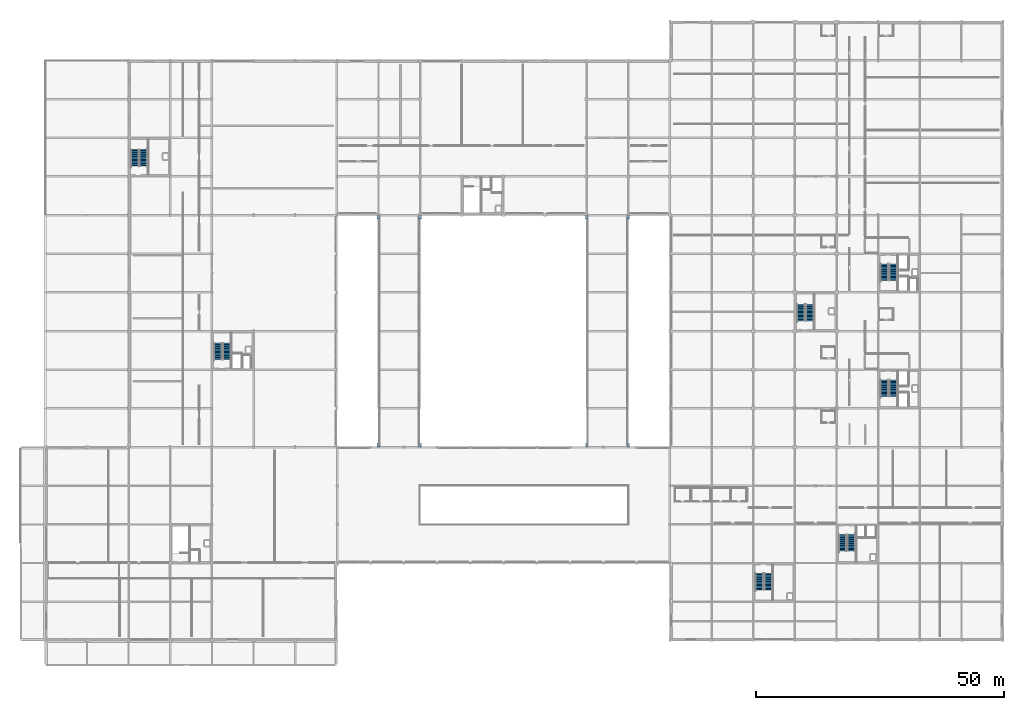
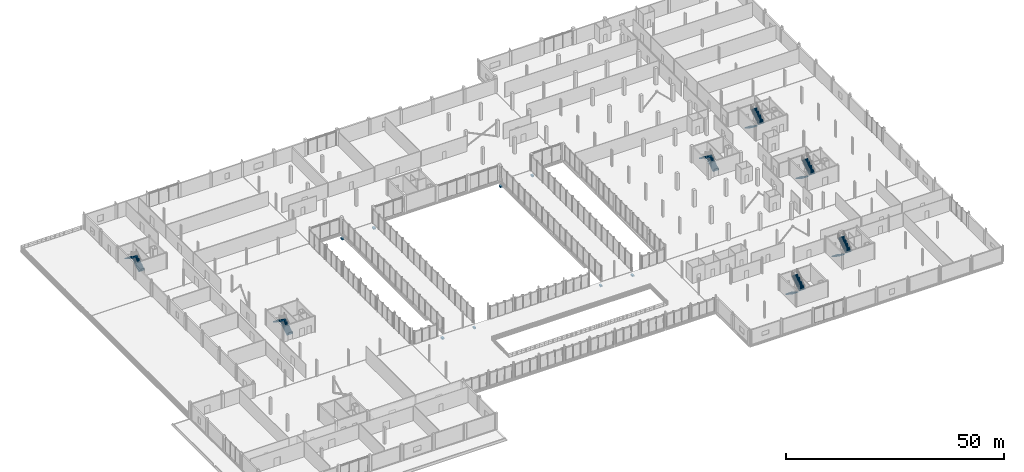
# One storey, part 79 of 98: 14 stair flights, 8 discrete accessories, 7 elements without a shape of their own.
"""IFC4 building model written with IfcOpenShell, lengths in metres."""

from ifc_helpers import new_model, si_unit, direction, frame, origin, origin_2d, place, context, subcontext, project, spatial, polyline, rectangle, outline, extrude, material, layer, layer_set, type_object, element, aggregate, save


model = new_model("IFC4")

# Units and contexts
model_context = context("Model", 3, precision=1e-05, world=origin(), true_north=direction((0.0, 1.0)))
body_context = subcontext(model_context, "Body", "Model", "MODEL_VIEW")
ifc_project = project(units=[si_unit("LENGTHUNIT", "METRE"), si_unit("AREAUNIT", "SQUARE_METRE"), si_unit("VOLUMEUNIT", "CUBIC_METRE"), si_unit("PLANEANGLEUNIT", "RADIAN"), si_unit("MASSUNIT", "GRAM", prefix="KILO")], contexts=[model_context])

# Site, building, storey
site_placement = place(None, origin())
site = spatial("IfcSite", under=ifc_project, at=site_placement, CompositionType="ELEMENT")
building_placement = place(site_placement, origin())
building = spatial("IfcBuilding", under=site, at=building_placement, Name="Nabrawat Pavilion Hospital", CompositionType="ELEMENT")
storey_placement = place(building_placement, frame((0.0, 0.0, 10.199951171875)))
storey = spatial("IfcBuildingStorey", under=building, at=storey_placement, Name="L02", CompositionType="ELEMENT", Elevation=10.199951171875)

# Stair, stair flights
ifc_material_1 = material(Name="Concrete C35/45", Category="concrete")
stair_type_1 = type_object("IfcStairType", Name="Core Dogleg Escape Stair Assembly", PredefinedType="HALF_TURN_STAIR", material=ifc_material_1)
stair_1_placement = place(storey_placement, origin())
stair_1 = element("IfcStair", 1, at=stair_1_placement, inside=storey, type_object=stair_type_1, Name="L02 Surgical Stair and Bed-Lift Core 2", PredefinedType="HALF_TURN_STAIR")
stair_flight_type = type_object("IfcStairFlightType", Name="Reinforced Concrete Escape Stair Flight 1600", PredefinedType="STRAIGHT", material=ifc_material_1)
stair_flight_1_placement = place(storey_placement, frame((36.64990234375, 56.669921875, 0.0), z_axis=(0.0, 0.0, 1.0), x_axis=(0.0, 1.0, 0.0)))
stair_flight_1 = element("IfcStairFlight", 2, at=stair_flight_1_placement, type_object=stair_flight_type, Name="ST-02 flight 1", NumberOfRisers=13, NumberOfTreads=12, PredefinedType="STRAIGHT", RiserHeight=0.178846154, TreadLength=0.275, context=body_context, shape_type="SweptSolid", body=[
    extrude(outline(polyline([(-0.008056640625, 0.0), (0.0, 0.0), (0.0, 0.178955078125), (0.27490234375, 0.178955078125), (0.27490234375, 0.357666015625), (0.550048828125, 0.357666015625), (0.550048828125, 0.53662109375), (0.824951171875, 0.53662109375), (0.824951171875, 0.71533203125), (1.10009765625, 0.71533203125), (1.10009765625, 0.894287109375), (1.375, 0.894287109375), (1.375, 1.072998046875), (1.64990234375, 1.072998046875), (1.64990234375, 1.251953125), (1.925048828125, 1.251953125), (1.925048828125, 1.4306640625), (2.199951171875, 1.4306640625), (2.199951171875, 1.609619140625), (2.47509765625, 1.609619140625), (2.47509765625, 1.78857421875), (2.75, 1.78857421875), (2.75, 1.96728515625), (3.02490234375, 1.96728515625), (3.02490234375, 2.146240234375), (3.300048828125, 2.146240234375), (3.300048828125, 2.324951171875), (3.30810546875, 2.324951171875), (3.30810546875, 2.175048828125), (3.300048828125, 1.96728515625), (0.27490234375, 0.0), (-0.008056640625, -0.1201171875), (-0.008056640625, 0.0)])), frame((0.0, 0.800048828125, 0.0), z_axis=(0.0, -1.0, 0.0), x_axis=(1.0, 0.0, 0.0)), (0.0, 0.0, 1.0), 1.60009765625),
])
stair_flight_2_placement = place(storey_placement, frame((34.85009765625, 59.969970703125, 2.324951171875), z_axis=(0.0, 0.0, 1.0), x_axis=(0.0, -1.0, 0.0)))
stair_flight_2 = element("IfcStairFlight", 3, at=stair_flight_2_placement, type_object=stair_flight_type, Name="ST-02 flight 2", NumberOfRisers=13, NumberOfTreads=12, PredefinedType="STRAIGHT", RiserHeight=0.178846154, TreadLength=0.275, context=body_context, shape_type="SweptSolid", body=[
    extrude(outline(polyline([(-0.008056640625, 0.0), (0.0, 0.0), (0.0, 0.178955078125), (0.27490234375, 0.178955078125), (0.27490234375, 0.357666015625), (0.550048828125, 0.357666015625), (0.550048828125, 0.53662109375), (0.824951171875, 0.53662109375), (0.824951171875, 0.71533203125), (1.10009765625, 0.71533203125), (1.10009765625, 0.894287109375), (1.375, 0.894287109375), (1.375, 1.072998046875), (1.64990234375, 1.072998046875), (1.64990234375, 1.251953125), (1.925048828125, 1.251953125), (1.925048828125, 1.4306640625), (2.199951171875, 1.4306640625), (2.199951171875, 1.609619140625), (2.47509765625, 1.609619140625), (2.47509765625, 1.78857421875), (2.75, 1.78857421875), (2.75, 1.96728515625), (3.02490234375, 1.96728515625), (3.02490234375, 2.146240234375), (3.300048828125, 2.146240234375), (3.300048828125, 2.324951171875), (3.30810546875, 2.324951171875), (3.30810546875, 2.175048828125), (3.300048828125, 1.96728515625), (0.27490234375, 0.0), (-0.008056640625, -0.1201171875), (-0.008056640625, 0.0)])), frame((0.0, 0.800048828125, 0.0), z_axis=(0.0, -1.0, 0.0), x_axis=(1.0, 0.0, 0.0)), (0.0, 0.0, 1.0), 1.60009765625),
])
aggregate(stair_1, [stair_flight_1, stair_flight_2])

stair_2_placement = place(storey_placement, origin())
stair_2 = element("IfcStair", 4, at=stair_2_placement, inside=storey, type_object=stair_type_1, Name="L02 Outpatient Clinics Core 4", PredefinedType="HALF_TURN_STAIR")
stair_flight_3_placement = place(storey_placement, frame((160.85009765625, 21.330078125, 0.0), z_axis=(0.0, 0.0, 1.0), x_axis=(0.0, -1.0, 0.0)))
stair_flight_3 = element("IfcStairFlight", 5, at=stair_flight_3_placement, type_object=stair_flight_type, Name="ST-04 flight 1", NumberOfRisers=13, NumberOfTreads=12, PredefinedType="STRAIGHT", RiserHeight=0.178846154, TreadLength=0.275, context=body_context, shape_type="SweptSolid", body=[
    extrude(outline(polyline([(-0.008056640625, 0.0), (0.0, 0.0), (0.0, 0.178955078125), (0.27490234375, 0.178955078125), (0.27490234375, 0.357666015625), (0.550048828125, 0.357666015625), (0.550048828125, 0.53662109375), (0.824951171875, 0.53662109375), (0.824951171875, 0.71533203125), (1.10009765625, 0.71533203125), (1.10009765625, 0.894287109375), (1.375, 0.894287109375), (1.375, 1.072998046875), (1.64990234375, 1.072998046875), (1.64990234375, 1.251953125), (1.925048828125, 1.251953125), (1.925048828125, 1.4306640625), (2.199951171875, 1.4306640625), (2.199951171875, 1.609619140625), (2.47509765625, 1.609619140625), (2.47509765625, 1.78857421875), (2.75, 1.78857421875), (2.75, 1.96728515625), (3.02490234375, 1.96728515625), (3.02490234375, 2.146240234375), (3.300048828125, 2.146240234375), (3.300048828125, 2.324951171875), (3.30810546875, 2.324951171875), (3.30810546875, 2.175048828125), (3.300048828125, 1.96728515625), (0.27490234375, 0.0), (-0.008056640625, -0.1201171875), (-0.008056640625, 0.0)])), frame((0.0, 0.800048828125, 0.0), z_axis=(0.0, -1.0, 0.0), x_axis=(1.0, 0.0, 0.0)), (0.0, 0.0, 1.0), 1.60009765625),
])
stair_flight_4_placement = place(storey_placement, frame((162.64990234375, 18.030029296875, 2.324951171875), z_axis=(0.0, 0.0, 1.0), x_axis=(0.0, 1.0, 0.0)))
stair_flight_4 = element("IfcStairFlight", 6, at=stair_flight_4_placement, type_object=stair_flight_type, Name="ST-04 flight 2", NumberOfRisers=13, NumberOfTreads=12, PredefinedType="STRAIGHT", RiserHeight=0.178846154, TreadLength=0.275, context=body_context, shape_type="SweptSolid", body=[
    extrude(outline(polyline([(-0.008056640625, 0.0), (0.0, 0.0), (0.0, 0.178955078125), (0.27490234375, 0.178955078125), (0.27490234375, 0.357666015625), (0.550048828125, 0.357666015625), (0.550048828125, 0.53662109375), (0.824951171875, 0.53662109375), (0.824951171875, 0.71533203125), (1.10009765625, 0.71533203125), (1.10009765625, 0.894287109375), (1.375, 0.894287109375), (1.375, 1.072998046875), (1.64990234375, 1.072998046875), (1.64990234375, 1.251953125), (1.925048828125, 1.251953125), (1.925048828125, 1.4306640625), (2.199951171875, 1.4306640625), (2.199951171875, 1.609619140625), (2.47509765625, 1.609619140625), (2.47509765625, 1.78857421875), (2.75, 1.78857421875), (2.75, 1.96728515625), (3.02490234375, 1.96728515625), (3.02490234375, 2.146240234375), (3.300048828125, 2.146240234375), (3.300048828125, 2.324951171875), (3.30810546875, 2.324951171875), (3.30810546875, 2.175048828125), (3.300048828125, 1.96728515625), (0.27490234375, 0.0), (-0.008056640625, -0.1201171875), (-0.008056640625, 0.0)])), frame((0.0, 0.800048828125, 0.0), z_axis=(0.0, -1.0, 0.0), x_axis=(1.0, 0.0, 0.0)), (0.0, 0.0, 1.0), 1.60009765625),
])
aggregate(stair_2, [stair_flight_3, stair_flight_4])

stair_type_2 = type_object("IfcStairType", Name="Ward Upper Dogleg Escape Stair Assembly", PredefinedType="HALF_TURN_STAIR", material=ifc_material_1)
stair_3_placement = place(storey_placement, origin())
stair_3 = element("IfcStair", 7, at=stair_3_placement, inside=storey, type_object=stair_type_2, Name="L02 Inpatient South Firefighting Core 5", PredefinedType="HALF_TURN_STAIR")
stair_flight_5_placement = place(storey_placement, frame((169.25, 52.530029296875, 0.0), z_axis=(0.0, 0.0, 1.0), x_axis=(0.0, -1.0, 0.0)))
stair_flight_5 = element("IfcStairFlight", 8, at=stair_flight_5_placement, type_object=stair_flight_type, Name="ST-05 flight 1", NumberOfRisers=13, NumberOfTreads=12, PredefinedType="STRAIGHT", RiserHeight=0.178846154, TreadLength=0.275, context=body_context, shape_type="SweptSolid", body=[
    extrude(outline(polyline([(-0.008056640625, 0.0), (0.0, 0.0), (0.0, 0.178955078125), (0.27490234375, 0.178955078125), (0.27490234375, 0.357666015625), (0.550048828125, 0.357666015625), (0.550048828125, 0.53662109375), (0.824951171875, 0.53662109375), (0.824951171875, 0.71533203125), (1.10009765625, 0.71533203125), (1.10009765625, 0.894287109375), (1.375, 0.894287109375), (1.375, 1.072998046875), (1.64990234375, 1.072998046875), (1.64990234375, 1.251953125), (1.925048828125, 1.251953125), (1.925048828125, 1.4306640625), (2.199951171875, 1.4306640625), (2.199951171875, 1.609619140625), (2.47509765625, 1.609619140625), (2.47509765625, 1.78857421875), (2.75, 1.78857421875), (2.75, 1.96728515625), (3.02490234375, 1.96728515625), (3.02490234375, 2.146240234375), (3.300048828125, 2.146240234375), (3.300048828125, 2.324951171875), (3.30810546875, 2.324951171875), (3.30810546875, 2.175048828125), (3.300048828125, 1.96728515625), (0.27490234375, 0.0), (-0.008056640625, -0.1201171875), (-0.008056640625, 0.0)])), frame((0.0, 0.800048828125, 0.0), z_axis=(0.0, -1.0, 0.0), x_axis=(1.0, 0.0, 0.0)), (0.0, 0.0, 1.0), 1.60009765625),
])
stair_flight_6_placement = place(storey_placement, frame((171.050048828125, 49.22998046875, 2.324951171875), z_axis=(0.0, 0.0, 1.0), x_axis=(0.0, 1.0, 0.0)))
stair_flight_6 = element("IfcStairFlight", 9, at=stair_flight_6_placement, type_object=stair_flight_type, Name="ST-05 flight 2", NumberOfRisers=13, NumberOfTreads=12, PredefinedType="STRAIGHT", RiserHeight=0.178846154, TreadLength=0.275, context=body_context, shape_type="SweptSolid", body=[
    extrude(outline(polyline([(-0.008056640625, 0.0), (0.0, 0.0), (0.0, 0.178955078125), (0.27490234375, 0.178955078125), (0.27490234375, 0.357666015625), (0.550048828125, 0.357666015625), (0.550048828125, 0.53662109375), (0.824951171875, 0.53662109375), (0.824951171875, 0.71533203125), (1.10009765625, 0.71533203125), (1.10009765625, 0.894287109375), (1.375, 0.894287109375), (1.375, 1.072998046875), (1.64990234375, 1.072998046875), (1.64990234375, 1.251953125), (1.925048828125, 1.251953125), (1.925048828125, 1.4306640625), (2.199951171875, 1.4306640625), (2.199951171875, 1.609619140625), (2.47509765625, 1.609619140625), (2.47509765625, 1.78857421875), (2.75, 1.78857421875), (2.75, 1.96728515625), (3.02490234375, 1.96728515625), (3.02490234375, 2.146240234375), (3.300048828125, 2.146240234375), (3.300048828125, 2.324951171875), (3.30810546875, 2.324951171875), (3.30810546875, 2.175048828125), (3.300048828125, 1.96728515625), (0.27490234375, 0.0), (-0.008056640625, -0.1201171875), (-0.008056640625, 0.0)])), frame((0.0, 0.800048828125, 0.0), z_axis=(0.0, -1.0, 0.0), x_axis=(1.0, 0.0, 0.0)), (0.0, 0.0, 1.0), 1.60009765625),
])
aggregate(stair_3, [stair_flight_5, stair_flight_6])

stair_4_placement = place(storey_placement, origin())
stair_4 = element("IfcStair", 10, at=stair_4_placement, inside=storey, type_object=stair_type_2, Name="L02 Inpatient North Firefighting Core 6", PredefinedType="HALF_TURN_STAIR")
stair_flight_7_placement = place(storey_placement, frame((169.25, 75.929931640625, 0.0), z_axis=(0.0, 0.0, 1.0), x_axis=(0.0, -1.0, 0.0)))
stair_flight_7 = element("IfcStairFlight", 11, at=stair_flight_7_placement, type_object=stair_flight_type, Name="ST-06 flight 1", NumberOfRisers=13, NumberOfTreads=12, PredefinedType="STRAIGHT", RiserHeight=0.178846154, TreadLength=0.275, context=body_context, shape_type="SweptSolid", body=[
    extrude(outline(polyline([(-0.008056640625, 0.0), (0.0, 0.0), (0.0, 0.178955078125), (0.27490234375, 0.178955078125), (0.27490234375, 0.357666015625), (0.550048828125, 0.357666015625), (0.550048828125, 0.53662109375), (0.824951171875, 0.53662109375), (0.824951171875, 0.71533203125), (1.10009765625, 0.71533203125), (1.10009765625, 0.894287109375), (1.375, 0.894287109375), (1.375, 1.072998046875), (1.64990234375, 1.072998046875), (1.64990234375, 1.251953125), (1.925048828125, 1.251953125), (1.925048828125, 1.4306640625), (2.199951171875, 1.4306640625), (2.199951171875, 1.609619140625), (2.47509765625, 1.609619140625), (2.47509765625, 1.78857421875), (2.75, 1.78857421875), (2.75, 1.96728515625), (3.02490234375, 1.96728515625), (3.02490234375, 2.146240234375), (3.300048828125, 2.146240234375), (3.300048828125, 2.324951171875), (3.30810546875, 2.324951171875), (3.30810546875, 2.175048828125), (3.300048828125, 1.96728515625), (0.27490234375, 0.0), (-0.008056640625, -0.1201171875), (-0.008056640625, 0.0)])), frame((0.0, 0.800048828125, 0.0), z_axis=(0.0, -1.0, 0.0), x_axis=(1.0, 0.0, 0.0)), (0.0, 0.0, 1.0), 1.60009765625),
])
stair_flight_8_placement = place(storey_placement, frame((171.050048828125, 72.6298828125, 2.324951171875), z_axis=(0.0, 0.0, 1.0), x_axis=(0.0, 1.0, 0.0)))
stair_flight_8 = element("IfcStairFlight", 12, at=stair_flight_8_placement, type_object=stair_flight_type, Name="ST-06 flight 2", NumberOfRisers=13, NumberOfTreads=12, PredefinedType="STRAIGHT", RiserHeight=0.178846154, TreadLength=0.275, context=body_context, shape_type="SweptSolid", body=[
    extrude(outline(polyline([(-0.008056640625, 0.0), (0.0, 0.0), (0.0, 0.178955078125), (0.27490234375, 0.178955078125), (0.27490234375, 0.357666015625), (0.550048828125, 0.357666015625), (0.550048828125, 0.53662109375), (0.824951171875, 0.53662109375), (0.824951171875, 0.71533203125), (1.10009765625, 0.71533203125), (1.10009765625, 0.894287109375), (1.375, 0.894287109375), (1.375, 1.072998046875), (1.64990234375, 1.072998046875), (1.64990234375, 1.251953125), (1.925048828125, 1.251953125), (1.925048828125, 1.4306640625), (2.199951171875, 1.4306640625), (2.199951171875, 1.609619140625), (2.47509765625, 1.609619140625), (2.47509765625, 1.78857421875), (2.75, 1.78857421875), (2.75, 1.96728515625), (3.02490234375, 1.96728515625), (3.02490234375, 2.146240234375), (3.300048828125, 2.146240234375), (3.300048828125, 2.324951171875), (3.30810546875, 2.324951171875), (3.30810546875, 2.175048828125), (3.300048828125, 1.96728515625), (0.27490234375, 0.0), (-0.008056640625, -0.1201171875), (-0.008056640625, 0.0)])), frame((0.0, 0.800048828125, 0.0), z_axis=(0.0, -1.0, 0.0), x_axis=(1.0, 0.0, 0.0)), (0.0, 0.0, 1.0), 1.60009765625),
])
aggregate(stair_4, [stair_flight_7, stair_flight_8])

stair_5_placement = place(storey_placement, origin())
stair_5 = element("IfcStair", 13, at=stair_5_placement, inside=storey, type_object=stair_type_1, Name="L02 Surgical North Escape Stair Core 7", PredefinedType="HALF_TURN_STAIR")
stair_flight_9_placement = place(storey_placement, frame((19.85009765625, 95.669921875, 0.0), z_axis=(0.0, 0.0, 1.0), x_axis=(0.0, 1.0, 0.0)))
stair_flight_9 = element("IfcStairFlight", 14, at=stair_flight_9_placement, type_object=stair_flight_type, Name="ST-07 flight 1", NumberOfRisers=13, NumberOfTreads=12, PredefinedType="STRAIGHT", RiserHeight=0.178846154, TreadLength=0.275, context=body_context, shape_type="SweptSolid", body=[
    extrude(outline(polyline([(-0.008056640625, 0.0), (0.0, 0.0), (0.0, 0.178955078125), (0.27490234375, 0.178955078125), (0.27490234375, 0.357666015625), (0.550048828125, 0.357666015625), (0.550048828125, 0.53662109375), (0.824951171875, 0.53662109375), (0.824951171875, 0.71533203125), (1.10009765625, 0.71533203125), (1.10009765625, 0.894287109375), (1.375, 0.894287109375), (1.375, 1.072998046875), (1.64990234375, 1.072998046875), (1.64990234375, 1.251953125), (1.925048828125, 1.251953125), (1.925048828125, 1.4306640625), (2.199951171875, 1.4306640625), (2.199951171875, 1.609619140625), (2.47509765625, 1.609619140625), (2.47509765625, 1.78857421875), (2.75, 1.78857421875), (2.75, 1.96728515625), (3.02490234375, 1.96728515625), (3.02490234375, 2.146240234375), (3.300048828125, 2.146240234375), (3.300048828125, 2.324951171875), (3.30810546875, 2.324951171875), (3.30810546875, 2.175048828125), (3.300048828125, 1.96728515625), (0.27490234375, 0.0), (-0.008056640625, -0.1201171875), (-0.008056640625, 0.0)])), frame((0.0, 0.800048828125, 0.0), z_axis=(0.0, -1.0, 0.0), x_axis=(1.0, 0.0, 0.0)), (0.0, 0.0, 1.0), 1.60009765625),
])
stair_flight_10_placement = place(storey_placement, frame((18.050048828125, 98.969970703125, 2.324951171875), z_axis=(0.0, 0.0, 1.0), x_axis=(0.0, -1.0, 0.0)))
stair_flight_10 = element("IfcStairFlight", 15, at=stair_flight_10_placement, type_object=stair_flight_type, Name="ST-07 flight 2", NumberOfRisers=13, NumberOfTreads=12, PredefinedType="STRAIGHT", RiserHeight=0.178846154, TreadLength=0.275, context=body_context, shape_type="SweptSolid", body=[
    extrude(outline(polyline([(-0.008056640625, 0.0), (0.0, 0.0), (0.0, 0.178955078125), (0.27490234375, 0.178955078125), (0.27490234375, 0.357666015625), (0.550048828125, 0.357666015625), (0.550048828125, 0.53662109375), (0.824951171875, 0.53662109375), (0.824951171875, 0.71533203125), (1.10009765625, 0.71533203125), (1.10009765625, 0.894287109375), (1.375, 0.894287109375), (1.375, 1.072998046875), (1.64990234375, 1.072998046875), (1.64990234375, 1.251953125), (1.925048828125, 1.251953125), (1.925048828125, 1.4306640625), (2.199951171875, 1.4306640625), (2.199951171875, 1.609619140625), (2.47509765625, 1.609619140625), (2.47509765625, 1.78857421875), (2.75, 1.78857421875), (2.75, 1.96728515625), (3.02490234375, 1.96728515625), (3.02490234375, 2.146240234375), (3.300048828125, 2.146240234375), (3.300048828125, 2.324951171875), (3.30810546875, 2.324951171875), (3.30810546875, 2.175048828125), (3.300048828125, 1.96728515625), (0.27490234375, 0.0), (-0.008056640625, -0.1201171875), (-0.008056640625, 0.0)])), frame((0.0, 0.800048828125, 0.0), z_axis=(0.0, -1.0, 0.0), x_axis=(1.0, 0.0, 0.0)), (0.0, 0.0, 1.0), 1.60009765625),
])
aggregate(stair_5, [stair_flight_9, stair_flight_10])

stair_6_placement = place(storey_placement, origin())
stair_6 = element("IfcStair", 16, at=stair_6_placement, inside=storey, type_object=stair_type_1, Name="L02 Outpatient West Escape Stair Core 8", PredefinedType="HALF_TURN_STAIR")
stair_flight_11_placement = place(storey_placement, frame((144.050048828125, 13.530029296875, 0.0), z_axis=(0.0, 0.0, 1.0), x_axis=(0.0, -1.0, 0.0)))
stair_flight_11 = element("IfcStairFlight", 17, at=stair_flight_11_placement, type_object=stair_flight_type, Name="ST-08 flight 1", NumberOfRisers=13, NumberOfTreads=12, PredefinedType="STRAIGHT", RiserHeight=0.178846154, TreadLength=0.275, context=body_context, shape_type="SweptSolid", body=[
    extrude(outline(polyline([(-0.008056640625, 0.0), (0.0, 0.0), (0.0, 0.178955078125), (0.27490234375, 0.178955078125), (0.27490234375, 0.357666015625), (0.550048828125, 0.357666015625), (0.550048828125, 0.53662109375), (0.824951171875, 0.53662109375), (0.824951171875, 0.71533203125), (1.10009765625, 0.71533203125), (1.10009765625, 0.894287109375), (1.375, 0.894287109375), (1.375, 1.072998046875), (1.64990234375, 1.072998046875), (1.64990234375, 1.251953125), (1.925048828125, 1.251953125), (1.925048828125, 1.4306640625), (2.199951171875, 1.4306640625), (2.199951171875, 1.609619140625), (2.47509765625, 1.609619140625), (2.47509765625, 1.78857421875), (2.75, 1.78857421875), (2.75, 1.96728515625), (3.02490234375, 1.96728515625), (3.02490234375, 2.146240234375), (3.300048828125, 2.146240234375), (3.300048828125, 2.324951171875), (3.30810546875, 2.324951171875), (3.30810546875, 2.175048828125), (3.300048828125, 1.96728515625), (0.27490234375, 0.0), (-0.008056640625, -0.1201171875), (-0.008056640625, 0.0)])), frame((0.0, 0.800048828125, 0.0), z_axis=(0.0, -1.0, 0.0), x_axis=(1.0, 0.0, 0.0)), (0.0, 0.0, 1.0), 1.60009765625),
])
stair_flight_12_placement = place(storey_placement, frame((145.85009765625, 10.22998046875, 2.324951171875), z_axis=(0.0, 0.0, 1.0), x_axis=(0.0, 1.0, 0.0)))
stair_flight_12 = element("IfcStairFlight", 18, at=stair_flight_12_placement, type_object=stair_flight_type, Name="ST-08 flight 2", NumberOfRisers=13, NumberOfTreads=12, PredefinedType="STRAIGHT", RiserHeight=0.178846154, TreadLength=0.275, context=body_context, shape_type="SweptSolid", body=[
    extrude(outline(polyline([(-0.008056640625, 0.0), (0.0, 0.0), (0.0, 0.178955078125), (0.27490234375, 0.178955078125), (0.27490234375, 0.357666015625), (0.550048828125, 0.357666015625), (0.550048828125, 0.53662109375), (0.824951171875, 0.53662109375), (0.824951171875, 0.71533203125), (1.10009765625, 0.71533203125), (1.10009765625, 0.894287109375), (1.375, 0.894287109375), (1.375, 1.072998046875), (1.64990234375, 1.072998046875), (1.64990234375, 1.251953125), (1.925048828125, 1.251953125), (1.925048828125, 1.4306640625), (2.199951171875, 1.4306640625), (2.199951171875, 1.609619140625), (2.47509765625, 1.609619140625), (2.47509765625, 1.78857421875), (2.75, 1.78857421875), (2.75, 1.96728515625), (3.02490234375, 1.96728515625), (3.02490234375, 2.146240234375), (3.300048828125, 2.146240234375), (3.300048828125, 2.324951171875), (3.30810546875, 2.324951171875), (3.30810546875, 2.175048828125), (3.300048828125, 1.96728515625), (0.27490234375, 0.0), (-0.008056640625, -0.1201171875), (-0.008056640625, 0.0)])), frame((0.0, 0.800048828125, 0.0), z_axis=(0.0, -1.0, 0.0), x_axis=(1.0, 0.0, 0.0)), (0.0, 0.0, 1.0), 1.60009765625),
])
aggregate(stair_6, [stair_flight_11, stair_flight_12])

stair_7_placement = place(storey_placement, origin())
stair_7 = element("IfcStair", 19, at=stair_7_placement, inside=storey, type_object=stair_type_2, Name="L02 Inpatient West Escape Stair Core 9", PredefinedType="HALF_TURN_STAIR")
stair_flight_13_placement = place(storey_placement, frame((154.25, 64.469970703125, 0.0), z_axis=(0.0, 0.0, 1.0), x_axis=(0.0, 1.0, 0.0)))
stair_flight_13 = element("IfcStairFlight", 20, at=stair_flight_13_placement, type_object=stair_flight_type, Name="ST-09 flight 1", NumberOfRisers=13, NumberOfTreads=12, PredefinedType="STRAIGHT", RiserHeight=0.178846154, TreadLength=0.275, context=body_context, shape_type="SweptSolid", body=[
    extrude(outline(polyline([(-0.008056640625, 0.0), (0.0, 0.0), (0.0, 0.178955078125), (0.27490234375, 0.178955078125), (0.27490234375, 0.357666015625), (0.550048828125, 0.357666015625), (0.550048828125, 0.53662109375), (0.824951171875, 0.53662109375), (0.824951171875, 0.71533203125), (1.10009765625, 0.71533203125), (1.10009765625, 0.894287109375), (1.375, 0.894287109375), (1.375, 1.072998046875), (1.64990234375, 1.072998046875), (1.64990234375, 1.251953125), (1.925048828125, 1.251953125), (1.925048828125, 1.4306640625), (2.199951171875, 1.4306640625), (2.199951171875, 1.609619140625), (2.47509765625, 1.609619140625), (2.47509765625, 1.78857421875), (2.75, 1.78857421875), (2.75, 1.96728515625), (3.02490234375, 1.96728515625), (3.02490234375, 2.146240234375), (3.300048828125, 2.146240234375), (3.300048828125, 2.324951171875), (3.30810546875, 2.324951171875), (3.30810546875, 2.175048828125), (3.300048828125, 1.96728515625), (0.27490234375, 0.0), (-0.008056640625, -0.1201171875), (-0.008056640625, 0.0)])), frame((0.0, 0.800048828125, 0.0), z_axis=(0.0, -1.0, 0.0), x_axis=(1.0, 0.0, 0.0)), (0.0, 0.0, 1.0), 1.60009765625),
])
stair_flight_14_placement = place(storey_placement, frame((152.449951171875, 67.77001953125, 2.324951171875), z_axis=(0.0, 0.0, 1.0), x_axis=(0.0, -1.0, 0.0)))
stair_flight_14 = element("IfcStairFlight", 21, at=stair_flight_14_placement, type_object=stair_flight_type, Name="ST-09 flight 2", NumberOfRisers=13, NumberOfTreads=12, PredefinedType="STRAIGHT", RiserHeight=0.178846154, TreadLength=0.275, context=body_context, shape_type="SweptSolid", body=[
    extrude(outline(polyline([(-0.008056640625, 0.0), (0.0, 0.0), (0.0, 0.178955078125), (0.27490234375, 0.178955078125), (0.27490234375, 0.357666015625), (0.550048828125, 0.357666015625), (0.550048828125, 0.53662109375), (0.824951171875, 0.53662109375), (0.824951171875, 0.71533203125), (1.10009765625, 0.71533203125), (1.10009765625, 0.894287109375), (1.375, 0.894287109375), (1.375, 1.072998046875), (1.64990234375, 1.072998046875), (1.64990234375, 1.251953125), (1.925048828125, 1.251953125), (1.925048828125, 1.4306640625), (2.199951171875, 1.4306640625), (2.199951171875, 1.609619140625), (2.47509765625, 1.609619140625), (2.47509765625, 1.78857421875), (2.75, 1.78857421875), (2.75, 1.96728515625), (3.02490234375, 1.96728515625), (3.02490234375, 2.146240234375), (3.300048828125, 2.146240234375), (3.300048828125, 2.324951171875), (3.30810546875, 2.324951171875), (3.30810546875, 2.175048828125), (3.300048828125, 1.96728515625), (0.27490234375, 0.0), (-0.008056640625, -0.1201171875), (-0.008056640625, 0.0)])), frame((0.0, 0.800048828125, 0.0), z_axis=(0.0, -1.0, 0.0), x_axis=(1.0, 0.0, 0.0)), (0.0, 0.0, 1.0), 1.60009765625),
])
aggregate(stair_7, [stair_flight_13, stair_flight_14])

# Discrete accessories
ifc_material_2 = material(Name="Concrete C40/50", Category="concrete")
ifc_layer = layer(ifc_material_2, 0.419921875, Name="Concrete C40/50")
ifc_layer_set = layer_set([ifc_layer], Name="Concrete C40/50")
discrete_accessory_type = type_object("IfcDiscreteAccessoryType", Name="Reinforced Concrete Bridge Bearing Corbel Seat 750", PredefinedType="BRACKET", material=ifc_layer_set)
for number, where, z_axis, x_axis, name in (
    (22, (67.199951171875, 39.375, -1.5), (0.0, 0.0, 1.0), (1.0, 0.0, 0.0), "L02 Courtyard Bridge 750mm Bearing Seat Corbel S 09"),
    (23, (67.199951171875, 85.425048828125, -1.5), (0.0, 0.0, 1.0), (1.0, 0.0, 0.0), "L02 Courtyard Bridge 750mm Bearing Seat Corbel N 10"),
    (24, (75.60009765625, 39.375, -1.5), (0.0, 0.0, 1.0), (1.0, 0.0, 0.0), "L02 Courtyard Bridge 750mm Bearing Seat Corbel S 11"),
    (25, (75.60009765625, 85.425048828125, -1.5), (0.0, 0.0, 1.0), (1.0, 0.0, 0.0), "L02 Courtyard Bridge 750mm Bearing Seat Corbel N 12"),
    (26, (109.199951171875, 39.375, -1.5), (0.0, 0.0, 1.0), (1.0, 0.0, 0.0), "L02 Courtyard Bridge 750mm Bearing Seat Corbel S 13"),
    (27, (109.199951171875, 85.425048828125, -1.5), (0.0, 0.0, 1.0), (1.0, 0.0, 0.0), "L02 Courtyard Bridge 750mm Bearing Seat Corbel N 14"),
    (28, (117.60009765625, 39.375, -1.5), (0.0, 0.0, 1.0), (1.0, 0.0, 0.0), "L02 Courtyard Bridge 750mm Bearing Seat Corbel S 15"),
    (29, (117.60009765625, 85.425048828125, -1.5), (0.0, 0.0, 1.0), (1.0, 0.0, 0.0), "L02 Courtyard Bridge 750mm Bearing Seat Corbel N 16"),
):
    element("IfcDiscreteAccessory", number, at=place(storey_placement, frame(where, z_axis=z_axis, x_axis=x_axis)), inside=storey, type_object=discrete_accessory_type, Name=name, PredefinedType="BRACKET", context=body_context, shape_type="SweptSolid", body=[
        extrude(rectangle(XDim=0.550048828125, YDim=0.75, at=origin_2d()), origin(), (0.0, 0.0, 1.0), 0.419921875),
    ])

save(model, "model.ifc")
